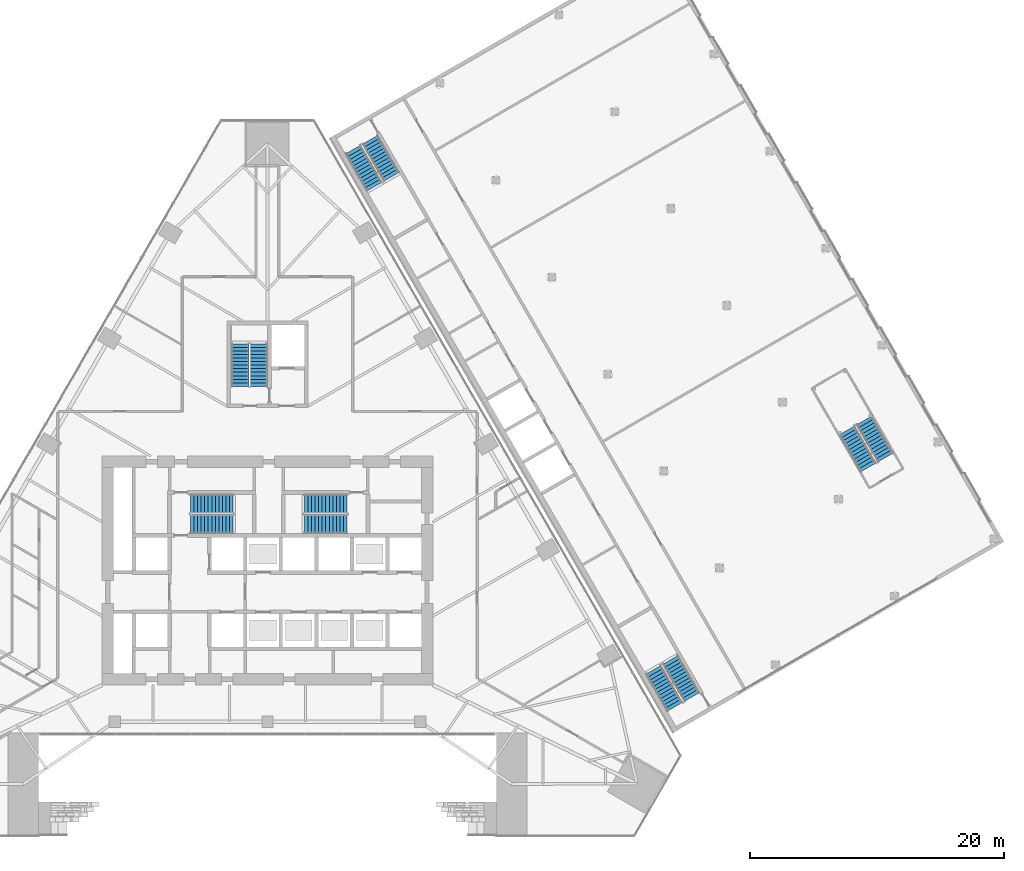
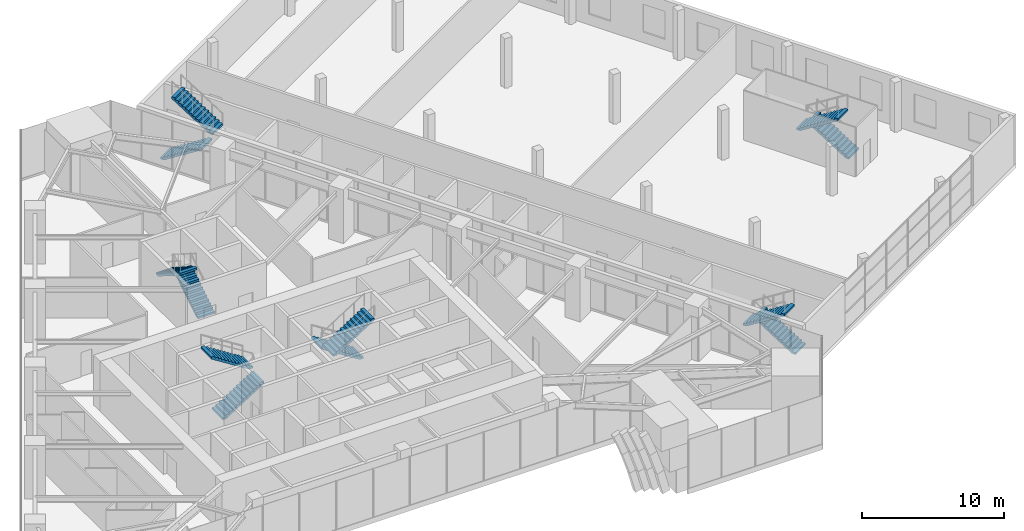
# One storey, part 22 of 29: 12 stair flights, 6 elements without a shape of their own.
"""IFC4 building model written with IfcOpenShell, lengths in metres."""

from ifc_helpers import new_model, si_unit, direction, frame, origin, place, context, subcontext, project, spatial, polyline, outline, extrude, material, type_object, element, aggregate, save


model = new_model("IFC4")

# Units and contexts
model_context = context("Model", 3, precision=1e-05, world=origin(), true_north=direction((0.0, 1.0)))
body_context = subcontext(model_context, "Body", "Model", "MODEL_VIEW")
ifc_project = project(units=[si_unit("LENGTHUNIT", "METRE"), si_unit("AREAUNIT", "SQUARE_METRE"), si_unit("VOLUMEUNIT", "CUBIC_METRE"), si_unit("PLANEANGLEUNIT", "RADIAN"), si_unit("MASSUNIT", "GRAM", prefix="KILO")], contexts=[model_context])

# Site, building, storey
site_placement = place(None, origin())
site = spatial("IfcSite", under=ifc_project, at=site_placement, CompositionType="ELEMENT")
building_placement = place(site_placement, origin())
building = spatial("IfcBuilding", under=site, at=building_placement, Name="Firuza Gate Tower and Library", CompositionType="ELEMENT")
storey_placement = place(building_placement, frame((0.0, 0.0, 8.0)))
storey = spatial("IfcBuildingStorey", under=building, at=storey_placement, Name="L01", CompositionType="ELEMENT", Elevation=8.0)

# Stair, stair flights
ifc_material_1 = material(Name="Concrete C40/50", Category="concrete")
stair_type_1 = type_object("IfcStairType", Name="LIB STAIR", PredefinedType="HALF_TURN_STAIR", material=ifc_material_1)
placement = place(storey_placement, origin())
stair_1 = element("IfcStair", 1, at=placement, inside=storey, type_object=stair_type_1, Name="L01 Exit stair A", PredefinedType="HALF_TURN_STAIR")
ifc_material_2 = material(Name="Concrete C40/50", Category="concrete")
stair_flight_type_1 = type_object("IfcStairFlightType", Name="LIB STAIR FLIGHT", PredefinedType="STRAIGHT", material=ifc_material_2)
stair_flight_1_placement = place(storey_placement, frame((81.735595703125, 108.102783203125, 0.0), z_axis=(0.0, 0.0, 1.0), x_axis=(0.5, -0.866025403784, 0.0)))
stair_flight_1 = element("IfcStairFlight", 2, at=stair_flight_1_placement, type_object=stair_flight_type_1, Name="LIB-ST-A flight 1", NumberOfRisers=13, NumberOfTreads=12, PredefinedType="STRAIGHT", RiserHeight=0.176923077, TreadLength=0.28, context=body_context, shape_type="SweptSolid", body=[
    extrude(outline(polyline([(0.0, 0.0), (0.0, 0.177001953125), (0.280029296875, 0.177001953125), (0.280029296875, 0.353759765625), (0.56005859375, 0.353759765625), (0.56005859375, 0.53076171875), (0.840087890625, 0.53076171875), (0.840087890625, 0.707763671875), (1.1201171875, 0.707763671875), (1.1201171875, 0.884521484375), (1.39990234375, 0.884521484375), (1.39990234375, 1.0615234375), (1.679931640625, 1.0615234375), (1.679931640625, 1.238525390625), (1.9599609375, 1.238525390625), (1.9599609375, 1.415283203125), (2.239990234375, 1.415283203125), (2.239990234375, 1.59228515625), (2.52001953125, 1.59228515625), (2.52001953125, 1.769287109375), (2.800048828125, 1.769287109375), (2.800048828125, 1.946044921875), (3.080078125, 1.946044921875), (3.080078125, 2.123046875), (3.360107421875, 2.123046875), (3.360107421875, 2.300048828125), (3.360107421875, 1.94580078125), (0.280517578125, 0.0), (0.0, 0.0)])), frame((0.0, 0.699951171875, 0.0), z_axis=(0.0, -1.0, 0.0), x_axis=(1.0, 0.0, 0.0)), (0.0, 0.0, 1.0), 1.39990234375),
])
stair_flight_2_placement = place(storey_placement, frame((84.758056640625, 105.968017578125, 2.300048828125), z_axis=(0.0, 0.0, 1.0), x_axis=(-0.5, 0.866025403784, 0.0)))
stair_flight_2 = element("IfcStairFlight", 3, at=stair_flight_2_placement, type_object=stair_flight_type_1, Name="LIB-ST-A flight 2", NumberOfRisers=13, NumberOfTreads=12, PredefinedType="STRAIGHT", RiserHeight=0.176923077, TreadLength=0.28, context=body_context, shape_type="SweptSolid", body=[
    extrude(outline(polyline([(0.0, 0.0), (0.0, 0.177001953125), (0.280029296875, 0.177001953125), (0.280029296875, 0.353759765625), (0.56005859375, 0.353759765625), (0.56005859375, 0.53076171875), (0.840087890625, 0.53076171875), (0.840087890625, 0.707763671875), (1.1201171875, 0.707763671875), (1.1201171875, 0.884521484375), (1.39990234375, 0.884521484375), (1.39990234375, 1.0615234375), (1.679931640625, 1.0615234375), (1.679931640625, 1.238525390625), (1.9599609375, 1.238525390625), (1.9599609375, 1.415283203125), (2.239990234375, 1.415283203125), (2.239990234375, 1.59228515625), (2.52001953125, 1.59228515625), (2.52001953125, 1.769287109375), (2.800048828125, 1.769287109375), (2.800048828125, 1.946044921875), (3.080078125, 1.946044921875), (3.080078125, 2.123046875), (3.360107421875, 2.123046875), (3.360107421875, 2.300048828125), (3.360107421875, 1.94580078125), (0.280517578125, 0.0), (0.0, 0.0)])), frame((0.0, 0.699951171875, 0.0), z_axis=(0.0, -1.0, 0.0), x_axis=(1.0, 0.0, 0.0)), (0.0, 0.0, 1.0), 1.39990234375),
])
aggregate(stair_1, [stair_flight_1, stair_flight_2])

stair_2 = element("IfcStair", 4, at=placement, inside=storey, type_object=stair_type_1, Name="L01 Exit stair B", PredefinedType="HALF_TURN_STAIR")
stair_flight_3_placement = place(storey_placement, frame((108.3779296875, 65.056884765625, 0.0), z_axis=(0.0, 0.0, 1.0), x_axis=(-0.5, 0.866025403784, 0.0)))
stair_flight_3 = element("IfcStairFlight", 5, at=stair_flight_3_placement, type_object=stair_flight_type_1, Name="LIB-ST-B flight 1", NumberOfRisers=13, NumberOfTreads=12, PredefinedType="STRAIGHT", RiserHeight=0.176923077, TreadLength=0.28, context=body_context, shape_type="SweptSolid", body=[
    extrude(outline(polyline([(0.0, 0.0), (0.0, 0.177001953125), (0.280029296875, 0.177001953125), (0.280029296875, 0.353759765625), (0.56005859375, 0.353759765625), (0.56005859375, 0.53076171875), (0.840087890625, 0.53076171875), (0.840087890625, 0.707763671875), (1.1201171875, 0.707763671875), (1.1201171875, 0.884521484375), (1.39990234375, 0.884521484375), (1.39990234375, 1.0615234375), (1.679931640625, 1.0615234375), (1.679931640625, 1.238525390625), (1.9599609375, 1.238525390625), (1.9599609375, 1.415283203125), (2.239990234375, 1.415283203125), (2.239990234375, 1.59228515625), (2.52001953125, 1.59228515625), (2.52001953125, 1.769287109375), (2.800048828125, 1.769287109375), (2.800048828125, 1.946044921875), (3.080078125, 1.946044921875), (3.080078125, 2.123046875), (3.360107421875, 2.123046875), (3.360107421875, 2.300048828125), (3.360107421875, 1.94580078125), (0.280517578125, 0.0), (0.0, 0.0)])), frame((0.0, 0.699951171875, 0.0), z_axis=(0.0, -1.0, 0.0), x_axis=(1.0, 0.0, 0.0)), (0.0, 0.0, 1.0), 1.39990234375),
])
stair_flight_4_placement = place(storey_placement, frame((105.355712890625, 67.191650390625, 2.300048828125), z_axis=(0.0, 0.0, 1.0), x_axis=(0.5, -0.866025403784, 0.0)))
stair_flight_4 = element("IfcStairFlight", 6, at=stair_flight_4_placement, type_object=stair_flight_type_1, Name="LIB-ST-B flight 2", NumberOfRisers=13, NumberOfTreads=12, PredefinedType="STRAIGHT", RiserHeight=0.176923077, TreadLength=0.28, context=body_context, shape_type="SweptSolid", body=[
    extrude(outline(polyline([(0.0, 0.0), (0.0, 0.177001953125), (0.280029296875, 0.177001953125), (0.280029296875, 0.353759765625), (0.56005859375, 0.353759765625), (0.56005859375, 0.53076171875), (0.840087890625, 0.53076171875), (0.840087890625, 0.707763671875), (1.1201171875, 0.707763671875), (1.1201171875, 0.884521484375), (1.39990234375, 0.884521484375), (1.39990234375, 1.0615234375), (1.679931640625, 1.0615234375), (1.679931640625, 1.238525390625), (1.9599609375, 1.238525390625), (1.9599609375, 1.415283203125), (2.239990234375, 1.415283203125), (2.239990234375, 1.59228515625), (2.52001953125, 1.59228515625), (2.52001953125, 1.769287109375), (2.800048828125, 1.769287109375), (2.800048828125, 1.946044921875), (3.080078125, 1.946044921875), (3.080078125, 2.123046875), (3.360107421875, 2.123046875), (3.360107421875, 2.300048828125), (3.360107421875, 1.94580078125), (0.280517578125, 0.0), (0.0, 0.0)])), frame((0.0, 0.699951171875, 0.0), z_axis=(0.0, -1.0, 0.0), x_axis=(1.0, 0.0, 0.0)), (0.0, 0.0, 1.0), 1.39990234375),
])
aggregate(stair_2, [stair_flight_3, stair_flight_4])

stair_3 = element("IfcStair", 7, at=placement, inside=storey, type_object=stair_type_1, Name="L01 Feature stair", PredefinedType="HALF_TURN_STAIR")
stair_flight_5_placement = place(storey_placement, frame((123.60009765625, 83.891357421875, 0.0), z_axis=(0.0, 0.0, 1.0), x_axis=(-0.5, 0.866025403784, 0.0)))
stair_flight_5 = element("IfcStairFlight", 8, at=stair_flight_5_placement, type_object=stair_flight_type_1, Name="LIB-ST-C flight 1", NumberOfRisers=13, NumberOfTreads=12, PredefinedType="STRAIGHT", RiserHeight=0.176923077, TreadLength=0.28, context=body_context, shape_type="SweptSolid", body=[
    extrude(outline(polyline([(0.0, 0.0), (0.0, 0.177001953125), (0.280029296875, 0.177001953125), (0.280029296875, 0.353759765625), (0.56005859375, 0.353759765625), (0.56005859375, 0.53076171875), (0.840087890625, 0.53076171875), (0.840087890625, 0.707763671875), (1.1201171875, 0.707763671875), (1.1201171875, 0.884521484375), (1.39990234375, 0.884521484375), (1.39990234375, 1.0615234375), (1.679931640625, 1.0615234375), (1.679931640625, 1.238525390625), (1.9599609375, 1.238525390625), (1.9599609375, 1.415283203125), (2.239990234375, 1.415283203125), (2.239990234375, 1.59228515625), (2.52001953125, 1.59228515625), (2.52001953125, 1.769287109375), (2.800048828125, 1.769287109375), (2.800048828125, 1.946044921875), (3.080078125, 1.946044921875), (3.080078125, 2.123046875), (3.360107421875, 2.123046875), (3.360107421875, 2.300048828125), (3.360107421875, 1.94580078125), (0.280517578125, 0.0), (0.0, 0.0)])), frame((0.0, 0.699951171875, 0.0), z_axis=(0.0, -1.0, 0.0), x_axis=(1.0, 0.0, 0.0)), (0.0, 0.0, 1.0), 1.39990234375),
])
stair_flight_6_placement = place(storey_placement, frame((120.577880859375, 86.026123046875, 2.300048828125), z_axis=(0.0, 0.0, 1.0), x_axis=(0.5, -0.866025403784, 0.0)))
stair_flight_6 = element("IfcStairFlight", 9, at=stair_flight_6_placement, type_object=stair_flight_type_1, Name="LIB-ST-C flight 2", NumberOfRisers=13, NumberOfTreads=12, PredefinedType="STRAIGHT", RiserHeight=0.176923077, TreadLength=0.28, context=body_context, shape_type="SweptSolid", body=[
    extrude(outline(polyline([(0.0, 0.0), (0.0, 0.177001953125), (0.280029296875, 0.177001953125), (0.280029296875, 0.353759765625), (0.56005859375, 0.353759765625), (0.56005859375, 0.53076171875), (0.840087890625, 0.53076171875), (0.840087890625, 0.707763671875), (1.1201171875, 0.707763671875), (1.1201171875, 0.884521484375), (1.39990234375, 0.884521484375), (1.39990234375, 1.0615234375), (1.679931640625, 1.0615234375), (1.679931640625, 1.238525390625), (1.9599609375, 1.238525390625), (1.9599609375, 1.415283203125), (2.239990234375, 1.415283203125), (2.239990234375, 1.59228515625), (2.52001953125, 1.59228515625), (2.52001953125, 1.769287109375), (2.800048828125, 1.769287109375), (2.800048828125, 1.946044921875), (3.080078125, 1.946044921875), (3.080078125, 2.123046875), (3.360107421875, 2.123046875), (3.360107421875, 2.300048828125), (3.360107421875, 1.94580078125), (0.280517578125, 0.0), (0.0, 0.0)])), frame((0.0, 0.699951171875, 0.0), z_axis=(0.0, -1.0, 0.0), x_axis=(1.0, 0.0, 0.0)), (0.0, 0.0, 1.0), 1.39990234375),
])
aggregate(stair_3, [stair_flight_5, stair_flight_6])

ifc_material_3 = material(Name="Concrete C35/45", Category="concrete")
stair_type_2 = type_object("IfcStairType", Name="Exit stair ST13", PredefinedType="HALF_TURN_STAIR", material=ifc_material_3)
stair_4 = element("IfcStair", 10, at=placement, inside=storey, type_object=stair_type_2, Name="L01 Stair ST3", PredefinedType="HALF_TURN_STAIR")
ifc_material_4 = material(Name="Concrete C35/45", Category="concrete")
stair_flight_type_2 = type_object("IfcStairFlightType", Name="Stair flight 13 risers 176.9 width 1370", PredefinedType="STRAIGHT", material=ifc_material_4)
stair_flight_7_placement = place(storey_placement, frame((74.31494140625, 89.469970703125, 0.0), z_axis=(0.0, 0.0, 1.0), x_axis=(0.0, 1.0, 0.0)))
stair_flight_7 = element("IfcStairFlight", 11, at=stair_flight_7_placement, type_object=stair_flight_type_2, Name="ST3 flight 1", NumberOfRisers=13, NumberOfTreads=12, PredefinedType="STRAIGHT", RiserHeight=0.176923077, TreadLength=0.28, context=body_context, shape_type="SweptSolid", body=[
    extrude(outline(polyline([(0.0, 0.0), (0.0, 0.177001953125), (0.280029296875, 0.177001953125), (0.280029296875, 0.353759765625), (0.56005859375, 0.353759765625), (0.56005859375, 0.53076171875), (0.840087890625, 0.53076171875), (0.840087890625, 0.707763671875), (1.1201171875, 0.707763671875), (1.1201171875, 0.884521484375), (1.39990234375, 0.884521484375), (1.39990234375, 1.0615234375), (1.679931640625, 1.0615234375), (1.679931640625, 1.238525390625), (1.9599609375, 1.238525390625), (1.9599609375, 1.415283203125), (2.239990234375, 1.415283203125), (2.239990234375, 1.59228515625), (2.52001953125, 1.59228515625), (2.52001953125, 1.769287109375), (2.800048828125, 1.769287109375), (2.800048828125, 1.946044921875), (3.080078125, 1.946044921875), (3.080078125, 2.123046875), (3.360107421875, 2.123046875), (3.360107421875, 2.300048828125), (3.360107421875, 1.94580078125), (0.280517578125, 0.0), (0.0, 0.0)])), frame((0.0, 0.68505859375, 0.0), z_axis=(0.0, -1.0, 0.0), x_axis=(1.0, 0.0, 0.0)), (0.0, 0.0, 1.0), 1.3701171875),
])
stair_flight_8_placement = place(storey_placement, frame((72.844970703125, 92.830078125, 2.300048828125), z_axis=(0.0, 0.0, 1.0), x_axis=(0.0, -1.0, 0.0)))
stair_flight_8 = element("IfcStairFlight", 12, at=stair_flight_8_placement, type_object=stair_flight_type_2, Name="ST3 flight 2", NumberOfRisers=13, NumberOfTreads=12, PredefinedType="STRAIGHT", RiserHeight=0.176923077, TreadLength=0.28, context=body_context, shape_type="SweptSolid", body=[
    extrude(outline(polyline([(0.0, 0.0), (0.0, 0.177001953125), (0.280029296875, 0.177001953125), (0.280029296875, 0.353759765625), (0.56005859375, 0.353759765625), (0.56005859375, 0.53076171875), (0.840087890625, 0.53076171875), (0.840087890625, 0.707763671875), (1.1201171875, 0.707763671875), (1.1201171875, 0.884521484375), (1.39990234375, 0.884521484375), (1.39990234375, 1.0615234375), (1.679931640625, 1.0615234375), (1.679931640625, 1.238525390625), (1.9599609375, 1.238525390625), (1.9599609375, 1.415283203125), (2.239990234375, 1.415283203125), (2.239990234375, 1.59228515625), (2.52001953125, 1.59228515625), (2.52001953125, 1.769287109375), (2.800048828125, 1.769287109375), (2.800048828125, 1.946044921875), (3.080078125, 1.946044921875), (3.080078125, 2.123046875), (3.360107421875, 2.123046875), (3.360107421875, 2.300048828125), (3.360107421875, 1.94580078125), (0.280517578125, 0.0), (0.0, 0.0)])), frame((0.0, 0.68505859375, 0.0), z_axis=(0.0, -1.0, 0.0), x_axis=(1.0, 0.0, 0.0)), (0.0, 0.0, 1.0), 1.3701171875),
])
aggregate(stair_4, [stair_flight_7, stair_flight_8])

ifc_material_5 = material(Name="Concrete C35/45", Category="concrete")
stair_type_3 = type_object("IfcStairType", Name="Exit stair ST4", PredefinedType="HALF_TURN_STAIR", material=ifc_material_5)
stair_5 = element("IfcStair", 13, at=placement, inside=storey, type_object=stair_type_3, Name="L01 Stair ST1", PredefinedType="HALF_TURN_STAIR")
ifc_material_6 = material(Name="Concrete C35/45", Category="concrete")
stair_flight_type_3 = type_object("IfcStairFlightType", Name="Stair flight 13 risers 176.9 width 1490", PredefinedType="STRAIGHT", material=ifc_material_6)
stair_flight_9_placement = place(storey_placement, frame((68.93994140625, 78.64501953125, 0.0), z_axis=(0.0, 0.0, 1.0), x_axis=(1.0, 0.0, 0.0)))
stair_flight_9 = element("IfcStairFlight", 14, at=stair_flight_9_placement, type_object=stair_flight_type_3, Name="ST1 flight 1", NumberOfRisers=13, NumberOfTreads=12, PredefinedType="STRAIGHT", RiserHeight=0.176923077, TreadLength=0.28, context=body_context, shape_type="SweptSolid", body=[
    extrude(outline(polyline([(0.0, 0.0), (0.0, 0.177001953125), (0.280029296875, 0.177001953125), (0.280029296875, 0.353759765625), (0.56005859375, 0.353759765625), (0.56005859375, 0.53076171875), (0.840087890625, 0.53076171875), (0.840087890625, 0.707763671875), (1.1201171875, 0.707763671875), (1.1201171875, 0.884521484375), (1.39990234375, 0.884521484375), (1.39990234375, 1.0615234375), (1.679931640625, 1.0615234375), (1.679931640625, 1.238525390625), (1.9599609375, 1.238525390625), (1.9599609375, 1.415283203125), (2.239990234375, 1.415283203125), (2.239990234375, 1.59228515625), (2.52001953125, 1.59228515625), (2.52001953125, 1.769287109375), (2.800048828125, 1.769287109375), (2.800048828125, 1.946044921875), (3.080078125, 1.946044921875), (3.080078125, 2.123046875), (3.360107421875, 2.123046875), (3.360107421875, 2.300048828125), (3.360107421875, 1.94580078125), (0.280517578125, 0.0), (0.0, 0.0)])), frame((0.0, 0.7451171875, 0.0), z_axis=(0.0, -1.0, 0.0), x_axis=(1.0, 0.0, 0.0)), (0.0, 0.0, 1.0), 1.489990234375),
])
stair_flight_10_placement = place(storey_placement, frame((72.300048828125, 80.235107421875, 2.300048828125), z_axis=(0.0, 0.0, 1.0), x_axis=(-1.0, 0.0, 0.0)))
stair_flight_10 = element("IfcStairFlight", 15, at=stair_flight_10_placement, type_object=stair_flight_type_3, Name="ST1 flight 2", NumberOfRisers=13, NumberOfTreads=12, PredefinedType="STRAIGHT", RiserHeight=0.176923077, TreadLength=0.28, context=body_context, shape_type="SweptSolid", body=[
    extrude(outline(polyline([(0.0, 0.0), (0.0, 0.177001953125), (0.280029296875, 0.177001953125), (0.280029296875, 0.353759765625), (0.56005859375, 0.353759765625), (0.56005859375, 0.53076171875), (0.840087890625, 0.53076171875), (0.840087890625, 0.707763671875), (1.1201171875, 0.707763671875), (1.1201171875, 0.884521484375), (1.39990234375, 0.884521484375), (1.39990234375, 1.0615234375), (1.679931640625, 1.0615234375), (1.679931640625, 1.238525390625), (1.9599609375, 1.238525390625), (1.9599609375, 1.415283203125), (2.239990234375, 1.415283203125), (2.239990234375, 1.59228515625), (2.52001953125, 1.59228515625), (2.52001953125, 1.769287109375), (2.800048828125, 1.769287109375), (2.800048828125, 1.946044921875), (3.080078125, 1.946044921875), (3.080078125, 2.123046875), (3.360107421875, 2.123046875), (3.360107421875, 2.300048828125), (3.360107421875, 1.94580078125), (0.280517578125, 0.0), (0.0, 0.0)])), frame((0.0, 0.7451171875, 0.0), z_axis=(0.0, -1.0, 0.0), x_axis=(1.0, 0.0, 0.0)), (0.0, 0.0, 1.0), 1.489990234375),
])
aggregate(stair_5, [stair_flight_9, stair_flight_10])

stair_6 = element("IfcStair", 16, at=placement, inside=storey, type_object=stair_type_3, Name="L01 Stair ST2", PredefinedType="HALF_TURN_STAIR")
stair_flight_11_placement = place(storey_placement, frame((81.260009765625, 80.235107421875, 0.0), z_axis=(0.0, 0.0, 1.0), x_axis=(-1.0, 0.0, 0.0)))
stair_flight_11 = element("IfcStairFlight", 17, at=stair_flight_11_placement, type_object=stair_flight_type_3, Name="ST2 flight 1", NumberOfRisers=13, NumberOfTreads=12, PredefinedType="STRAIGHT", RiserHeight=0.176923077, TreadLength=0.28, context=body_context, shape_type="SweptSolid", body=[
    extrude(outline(polyline([(0.0, 0.0), (0.0, 0.177001953125), (0.280029296875, 0.177001953125), (0.280029296875, 0.353759765625), (0.56005859375, 0.353759765625), (0.56005859375, 0.53076171875), (0.840087890625, 0.53076171875), (0.840087890625, 0.707763671875), (1.1201171875, 0.707763671875), (1.1201171875, 0.884521484375), (1.39990234375, 0.884521484375), (1.39990234375, 1.0615234375), (1.679931640625, 1.0615234375), (1.679931640625, 1.238525390625), (1.9599609375, 1.238525390625), (1.9599609375, 1.415283203125), (2.239990234375, 1.415283203125), (2.239990234375, 1.59228515625), (2.52001953125, 1.59228515625), (2.52001953125, 1.769287109375), (2.800048828125, 1.769287109375), (2.800048828125, 1.946044921875), (3.080078125, 1.946044921875), (3.080078125, 2.123046875), (3.360107421875, 2.123046875), (3.360107421875, 2.300048828125), (3.360107421875, 1.94580078125), (0.280517578125, 0.0), (0.0, 0.0)])), frame((0.0, 0.7451171875, 0.0), z_axis=(0.0, -1.0, 0.0), x_axis=(1.0, 0.0, 0.0)), (0.0, 0.0, 1.0), 1.489990234375),
])
stair_flight_12_placement = place(storey_placement, frame((77.89990234375, 78.64501953125, 2.300048828125), z_axis=(0.0, 0.0, 1.0), x_axis=(1.0, 0.0, 0.0)))
stair_flight_12 = element("IfcStairFlight", 18, at=stair_flight_12_placement, type_object=stair_flight_type_3, Name="ST2 flight 2", NumberOfRisers=13, NumberOfTreads=12, PredefinedType="STRAIGHT", RiserHeight=0.176923077, TreadLength=0.28, context=body_context, shape_type="SweptSolid", body=[
    extrude(outline(polyline([(0.0, 0.0), (0.0, 0.177001953125), (0.280029296875, 0.177001953125), (0.280029296875, 0.353759765625), (0.56005859375, 0.353759765625), (0.56005859375, 0.53076171875), (0.840087890625, 0.53076171875), (0.840087890625, 0.707763671875), (1.1201171875, 0.707763671875), (1.1201171875, 0.884521484375), (1.39990234375, 0.884521484375), (1.39990234375, 1.0615234375), (1.679931640625, 1.0615234375), (1.679931640625, 1.238525390625), (1.9599609375, 1.238525390625), (1.9599609375, 1.415283203125), (2.239990234375, 1.415283203125), (2.239990234375, 1.59228515625), (2.52001953125, 1.59228515625), (2.52001953125, 1.769287109375), (2.800048828125, 1.769287109375), (2.800048828125, 1.946044921875), (3.080078125, 1.946044921875), (3.080078125, 2.123046875), (3.360107421875, 2.123046875), (3.360107421875, 2.300048828125), (3.360107421875, 1.94580078125), (0.280517578125, 0.0), (0.0, 0.0)])), frame((0.0, 0.7451171875, 0.0), z_axis=(0.0, -1.0, 0.0), x_axis=(1.0, 0.0, 0.0)), (0.0, 0.0, 1.0), 1.489990234375),
])
aggregate(stair_6, [stair_flight_11, stair_flight_12])

save(model, "model.ifc")
